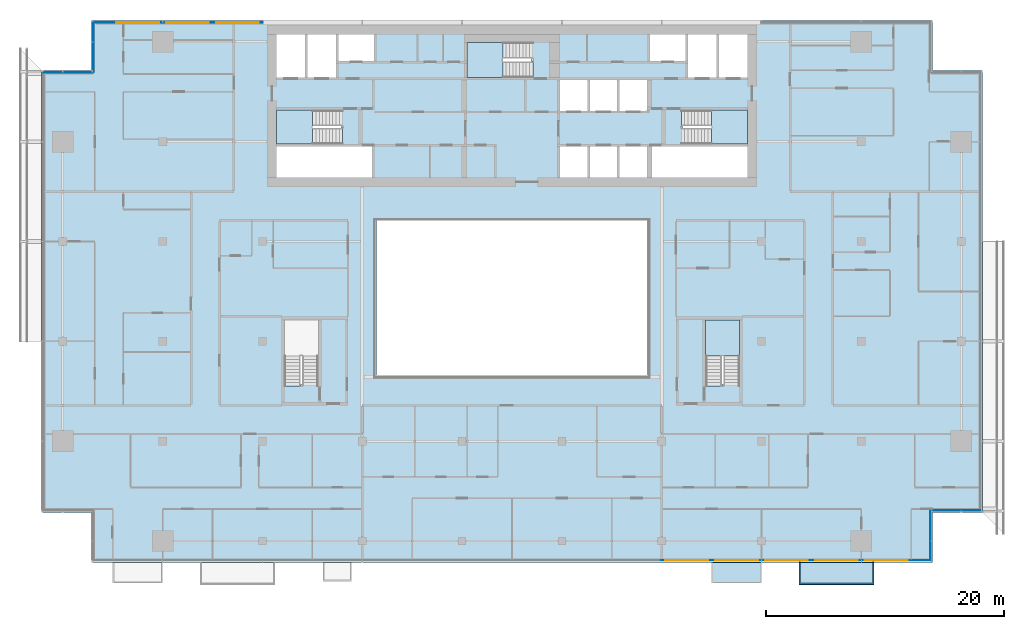
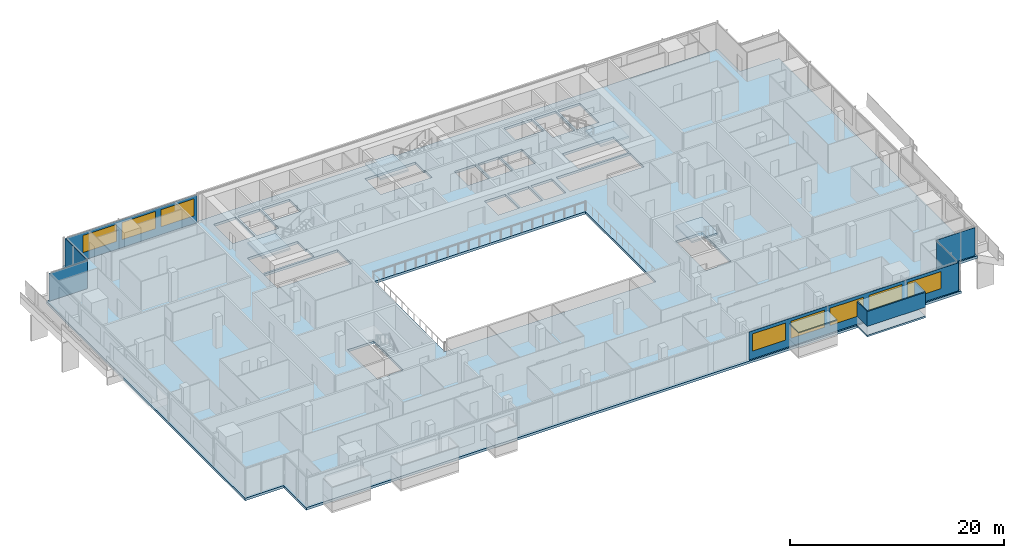
# One storey, part 16 of 29: 9 plates, 8 windows, 6 slabs, 8 openings, 10 elements without a shape of their own.
"""IFC4 building model written with IfcOpenShell, lengths in metres."""

from ifc_helpers import new_model, si_unit, direction, frame, frame_2d, origin, place, context, subcontext, project, spatial, polyline, rectangle, outline, extrude, material, layer, layer_set, type_object, element, fill, aggregate, save


model = new_model("IFC4")

# Units and contexts
model_context = context("Model", 3, precision=1e-05, world=origin(), true_north=direction((0.0, 1.0)))
body_context = subcontext(model_context, "Body", "Model", "MODEL_VIEW")
ifc_project = project(units=[si_unit("LENGTHUNIT", "METRE"), si_unit("AREAUNIT", "SQUARE_METRE"), si_unit("VOLUMEUNIT", "CUBIC_METRE"), si_unit("PLANEANGLEUNIT", "RADIAN"), si_unit("MASSUNIT", "GRAM", prefix="KILO")], contexts=[model_context])

# Site, building, storey
site_placement = place(None, origin())
site = spatial("IfcSite", under=ifc_project, at=site_placement, CompositionType="ELEMENT")
building_placement = place(site_placement, origin())
building = spatial("IfcBuilding", under=site, at=building_placement, Name="Saffron Gate Tower", CompositionType="ELEMENT")
storey_placement = place(building_placement, frame((0.0, 0.0, 161.85009765625)))
storey = spatial("IfcBuildingStorey", under=building, at=storey_placement, Name="L39", CompositionType="ELEMENT", Elevation=161.85009765625)

# Curtain wall, plate, openings, windows
ifc_material_1 = material(Name="Aluminium, bronze anodised", Category="aluminium")
curtain_wall_type_1 = type_object("IfcCurtainWallType", Name="CWS1 curtain wall front facade", PredefinedType="NOTDEFINED", material=ifc_material_1)
curtain_wall_1_placement = place(storey_placement, origin())
curtain_wall_1 = element("IfcCurtainWall", 1, at=curtain_wall_1_placement, inside=storey, type_object=curtain_wall_type_1, Name="CWS1 run 1", PredefinedType="NOTDEFINED")
ifc_material_2 = material(Name="Fritted bronze-tinted laminated glass", Category="glass")
ifc_layer_1 = layer(ifc_material_2, 0.028076171875)
ifc_layer_set_1 = layer_set([ifc_layer_1], Name="CWS1 fixed glass")
plate_type_1 = type_object("IfcPlateType", Name="CWS1 fixed glass", PredefinedType="CURTAIN_PANEL", material=ifc_layer_set_1)
plate_1_placement = place(storey_placement, frame((100.169921875, 30.174072265625, 0.0), z_axis=(0.0, 0.0, 1.0), x_axis=(1.0, 0.0, 0.0)))
plate_1 = element("IfcPlate", 2, at=plate_1_placement, type_object=plate_type_1, Name="CWS1 glass panel", PredefinedType="CURTAIN_PANEL", context=body_context, shape_type="SweptSolid", body=[
    extrude(rectangle(XDim=22.64208984375, YDim=0.028076171875, at=frame_2d((11.321044921875, 0.0))), origin(), (0.0, 0.0, 1.0), 3.199951171875),
])
opening_1_placement = place(plate_1_placement, frame((0.330078125, 0.0, 0.89990234375)))
opening_1 = element("IfcOpeningElement", 3, at=opening_1_placement, cuts=plate_1, Name="Opening W1", PredefinedType="OPENING", context=body_context, shape_type="SweptSolid", body=[
    extrude(rectangle(XDim=3.60009765625, YDim=1.949951171875, at=frame_2d((1.800048828125, 0.97509765625))), frame((0.0, 0.02392578125, 0.0), z_axis=(0.0, -1.0, 0.0), x_axis=(1.0, 0.0, 0.0)), (0.0, 0.0, 1.0), 0.048095703125),
])
opening_2_placement = place(plate_1_placement, frame((4.530029296875, 0.0, 0.89990234375)))
opening_2 = element("IfcOpeningElement", 4, at=opening_2_placement, cuts=plate_1, Name="Opening W1", PredefinedType="OPENING", context=body_context, shape_type="SweptSolid", body=[
    extrude(rectangle(XDim=3.60009765625, YDim=1.949951171875, at=frame_2d((1.800048828125, 0.97509765625))), frame((0.0, 0.02392578125, 0.0), z_axis=(0.0, -1.0, 0.0), x_axis=(1.0, 0.0, 0.0)), (0.0, 0.0, 1.0), 0.048095703125),
])
opening_3_placement = place(plate_1_placement, frame((8.72998046875, 0.0, 0.89990234375)))
opening_3 = element("IfcOpeningElement", 5, at=opening_3_placement, cuts=plate_1, Name="Opening W1", PredefinedType="OPENING", context=body_context, shape_type="SweptSolid", body=[
    extrude(rectangle(XDim=3.60009765625, YDim=1.949951171875, at=frame_2d((1.800048828125, 0.97509765625))), frame((0.0, 0.02392578125, 0.0), z_axis=(0.0, -1.0, 0.0), x_axis=(1.0, 0.0, 0.0)), (0.0, 0.0, 1.0), 0.048095703125),
])
opening_4_placement = place(plate_1_placement, frame((12.929931640625, 0.0, 0.89990234375)))
opening_4 = element("IfcOpeningElement", 6, at=opening_4_placement, cuts=plate_1, Name="Opening W1", PredefinedType="OPENING", context=body_context, shape_type="SweptSolid", body=[
    extrude(rectangle(XDim=3.60009765625, YDim=1.949951171875, at=frame_2d((1.800048828125, 0.97509765625))), frame((0.0, 0.02392578125, 0.0), z_axis=(0.0, -1.0, 0.0), x_axis=(1.0, 0.0, 0.0)), (0.0, 0.0, 1.0), 0.048095703125),
])
opening_5_placement = place(plate_1_placement, frame((17.1298828125, 0.0, 0.89990234375)))
opening_5 = element("IfcOpeningElement", 7, at=opening_5_placement, cuts=plate_1, Name="Opening W1", PredefinedType="OPENING", context=body_context, shape_type="SweptSolid", body=[
    extrude(rectangle(XDim=3.60009765625, YDim=1.949951171875, at=frame_2d((1.800048828125, 0.97509765625))), frame((0.0, 0.02392578125, 0.0), z_axis=(0.0, -1.0, 0.0), x_axis=(1.0, 0.0, 0.0)), (0.0, 0.0, 1.0), 0.048095703125),
])
ifc_material_3 = material(Name="Fritted bronze-tinted laminated glass in bronze frame", Category="glass")
ifc_layer_2 = layer(ifc_material_3, 0.06005859375)
ifc_layer_set_2 = layer_set([ifc_layer_2], Name="W1 operable panel 3600x1950")
window_type = type_object("IfcWindowType", Name="W1 operable panel 3600x1950", PartitioningType="DOUBLE_PANEL_HORIZONTAL", PredefinedType="WINDOW", material=ifc_layer_set_2)
window_1_placement = place(opening_1_placement, origin())
window_1 = element("IfcWindow", 8, at=window_1_placement, type_object=window_type, Name="W1 operable panel", OverallHeight=1.949951171875, OverallWidth=3.60009765625, PartitioningType="SINGLE_PANEL", PredefinedType="WINDOW", context=body_context, shape_type="SweptSolid", body=[
    extrude(rectangle(XDim=3.60009765625, YDim=1.949951171875, at=frame_2d((1.800048828125, 0.97509765625))), frame((0.0, 0.013671875, 0.0), z_axis=(0.0, -1.0, 0.0), x_axis=(1.0, 0.0, 0.0)), (0.0, 0.0, 1.0), 0.027587890625),
])
fill(opening_1, window_1)
window_2_placement = place(opening_2_placement, origin())
window_2 = element("IfcWindow", 9, at=window_2_placement, type_object=window_type, Name="W1 operable panel", OverallHeight=1.949951171875, OverallWidth=3.60009765625, PartitioningType="SINGLE_PANEL", PredefinedType="WINDOW", context=body_context, shape_type="SweptSolid", body=[
    extrude(rectangle(XDim=3.60009765625, YDim=1.949951171875, at=frame_2d((1.800048828125, 0.97509765625))), frame((0.0, 0.013671875, 0.0), z_axis=(0.0, -1.0, 0.0), x_axis=(1.0, 0.0, 0.0)), (0.0, 0.0, 1.0), 0.027587890625),
])
fill(opening_2, window_2)
window_3_placement = place(opening_3_placement, origin())
window_3 = element("IfcWindow", 10, at=window_3_placement, type_object=window_type, Name="W1 operable panel", OverallHeight=1.949951171875, OverallWidth=3.60009765625, PartitioningType="SINGLE_PANEL", PredefinedType="WINDOW", context=body_context, shape_type="SweptSolid", body=[
    extrude(rectangle(XDim=3.60009765625, YDim=1.949951171875, at=frame_2d((1.800048828125, 0.97509765625))), frame((0.0, 0.013671875, 0.0), z_axis=(0.0, -1.0, 0.0), x_axis=(1.0, 0.0, 0.0)), (0.0, 0.0, 1.0), 0.027587890625),
])
fill(opening_3, window_3)
window_4_placement = place(opening_4_placement, origin())
window_4 = element("IfcWindow", 11, at=window_4_placement, type_object=window_type, Name="W1 operable panel", OverallHeight=1.949951171875, OverallWidth=3.60009765625, PartitioningType="SINGLE_PANEL", PredefinedType="WINDOW", context=body_context, shape_type="SweptSolid", body=[
    extrude(rectangle(XDim=3.60009765625, YDim=1.949951171875, at=frame_2d((1.800048828125, 0.97509765625))), frame((0.0, 0.013671875, 0.0), z_axis=(0.0, -1.0, 0.0), x_axis=(1.0, 0.0, 0.0)), (0.0, 0.0, 1.0), 0.027587890625),
])
fill(opening_4, window_4)
window_5_placement = place(opening_5_placement, origin())
window_5 = element("IfcWindow", 12, at=window_5_placement, type_object=window_type, Name="W1 operable panel", OverallHeight=1.949951171875, OverallWidth=3.60009765625, PartitioningType="SINGLE_PANEL", PredefinedType="WINDOW", context=body_context, shape_type="SweptSolid", body=[
    extrude(rectangle(XDim=3.60009765625, YDim=1.949951171875, at=frame_2d((1.800048828125, 0.97509765625))), frame((0.0, 0.013671875, 0.0), z_axis=(0.0, -1.0, 0.0), x_axis=(1.0, 0.0, 0.0)), (0.0, 0.0, 1.0), 0.027587890625),
])
fill(opening_5, window_5)
aggregate(curtain_wall_1, [plate_1, window_1, window_2, window_3, window_4, window_5])

curtain_wall_type_2 = type_object("IfcCurtainWallType", Name="CWS3 curtain wall rear facade", PredefinedType="NOTDEFINED", material=ifc_material_1)
curtain_wall_2_placement = place(storey_placement, origin())
curtain_wall_2 = element("IfcCurtainWall", 13, at=curtain_wall_2_placement, inside=storey, type_object=curtain_wall_type_2, Name="CWS3 run 7", PredefinedType="NOTDEFINED")
ifc_material_4 = material(Name="Fritted grey-tinted laminated glass", Category="glass")
ifc_layer_3 = layer(ifc_material_4, 0.028076171875)
ifc_layer_set_3 = layer_set([ifc_layer_3], Name="CWS3 fixed glass")
plate_type_2 = type_object("IfcPlateType", Name="CWS3 fixed glass", PredefinedType="CURTAIN_PANEL", material=ifc_layer_set_3)
plate_2_placement = place(storey_placement, frame((66.635009765625, 75.426025390625, 0.0), z_axis=(0.0, 0.0, 1.0), x_axis=(-1.0, 0.0, 0.0)))
plate_2 = element("IfcPlate", 14, at=plate_2_placement, type_object=plate_type_2, Name="CWS3 glass panel", PredefinedType="CURTAIN_PANEL", context=body_context, shape_type="SweptSolid", body=[
    extrude(rectangle(XDim=14.2470703125, YDim=0.028076171875, at=frame_2d((7.12353515625, 0.0))), origin(), (0.0, 0.0, 1.0), 3.199951171875),
])
opening_6_placement = place(plate_2_placement, frame((0.3349609375, 0.0, 0.89990234375)))
opening_6 = element("IfcOpeningElement", 15, at=opening_6_placement, cuts=plate_2, Name="Opening W1", PredefinedType="OPENING", context=body_context, shape_type="SweptSolid", body=[
    extrude(rectangle(XDim=3.60009765625, YDim=1.949951171875, at=frame_2d((1.800048828125, 0.97509765625))), frame((0.0, 0.02392578125, 0.0), z_axis=(0.0, -1.0, 0.0), x_axis=(1.0, 0.0, 0.0)), (0.0, 0.0, 1.0), 0.048095703125),
])
opening_7_placement = place(plate_2_placement, frame((4.534912109375, 0.0, 0.89990234375)))
opening_7 = element("IfcOpeningElement", 16, at=opening_7_placement, cuts=plate_2, Name="Opening W1", PredefinedType="OPENING", context=body_context, shape_type="SweptSolid", body=[
    extrude(rectangle(XDim=3.60009765625, YDim=1.949951171875, at=frame_2d((1.800048828125, 0.97509765625))), frame((0.0, 0.02392578125, 0.0), z_axis=(0.0, -1.0, 0.0), x_axis=(1.0, 0.0, 0.0)), (0.0, 0.0, 1.0), 0.048095703125),
])
opening_8_placement = place(plate_2_placement, frame((8.735107421875, 0.0, 0.89990234375)))
opening_8 = element("IfcOpeningElement", 17, at=opening_8_placement, cuts=plate_2, Name="Opening W1", PredefinedType="OPENING", context=body_context, shape_type="SweptSolid", body=[
    extrude(rectangle(XDim=3.60009765625, YDim=1.949951171875, at=frame_2d((1.800048828125, 0.97509765625))), frame((0.0, 0.02392578125, 0.0), z_axis=(0.0, -1.0, 0.0), x_axis=(1.0, 0.0, 0.0)), (0.0, 0.0, 1.0), 0.048095703125),
])
window_6_placement = place(opening_6_placement, origin())
window_6 = element("IfcWindow", 18, at=window_6_placement, type_object=window_type, Name="W1 operable panel", OverallHeight=1.949951171875, OverallWidth=3.60009765625, PartitioningType="SINGLE_PANEL", PredefinedType="WINDOW", context=body_context, shape_type="SweptSolid", body=[
    extrude(rectangle(XDim=3.60009765625, YDim=1.949951171875, at=frame_2d((1.800048828125, 0.97509765625))), frame((0.0, 0.013671875, 0.0), z_axis=(0.0, -1.0, 0.0), x_axis=(1.0, 0.0, 0.0)), (0.0, 0.0, 1.0), 0.027587890625),
])
fill(opening_6, window_6)
window_7_placement = place(opening_7_placement, origin())
window_7 = element("IfcWindow", 19, at=window_7_placement, type_object=window_type, Name="W1 operable panel", OverallHeight=1.949951171875, OverallWidth=3.60009765625, PartitioningType="SINGLE_PANEL", PredefinedType="WINDOW", context=body_context, shape_type="SweptSolid", body=[
    extrude(rectangle(XDim=3.60009765625, YDim=1.949951171875, at=frame_2d((1.800048828125, 0.97509765625))), frame((0.0, 0.013671875, 0.0), z_axis=(0.0, -1.0, 0.0), x_axis=(1.0, 0.0, 0.0)), (0.0, 0.0, 1.0), 0.027587890625),
])
fill(opening_7, window_7)
window_8_placement = place(opening_8_placement, origin())
window_8 = element("IfcWindow", 20, at=window_8_placement, type_object=window_type, Name="W1 operable panel", OverallHeight=1.949951171875, OverallWidth=3.60009765625, PartitioningType="SINGLE_PANEL", PredefinedType="WINDOW", context=body_context, shape_type="SweptSolid", body=[
    extrude(rectangle(XDim=3.60009765625, YDim=1.949951171875, at=frame_2d((1.800048828125, 0.97509765625))), frame((0.0, 0.013671875, 0.0), z_axis=(0.0, -1.0, 0.0), x_axis=(1.0, 0.0, 0.0)), (0.0, 0.0, 1.0), 0.027587890625),
])
fill(opening_8, window_8)
aggregate(curtain_wall_2, [plate_2, window_6, window_7, window_8])

# Curtain wall, plate
curtain_wall_type_3 = type_object("IfcCurtainWallType", Name="CWS4 curtain wall corner returns", PredefinedType="NOTDEFINED", material=ifc_material_1)
curtain_wall_3_placement = place(storey_placement, origin())
curtain_wall_3 = element("IfcCurtainWall", 21, at=curtain_wall_3_placement, inside=storey, type_object=curtain_wall_type_3, Name="CWS4 run 2", PredefinedType="NOTDEFINED")
ifc_layer_4 = layer(ifc_material_2, 0.028076171875)
ifc_layer_set_4 = layer_set([ifc_layer_4], Name="CWS4 fixed glass")
plate_type_3 = type_object("IfcPlateType", Name="CWS4 fixed glass", PredefinedType="CURTAIN_PANEL", material=ifc_layer_set_4)
plate_3_placement = place(storey_placement, frame((122.825927734375, 30.18798828125, 0.0), z_axis=(0.0, 0.0, 1.0), x_axis=(0.0, 1.0, 0.0)))
plate_3 = element("IfcPlate", 22, at=plate_3_placement, type_object=plate_type_3, Name="CWS4 glass panel", PredefinedType="CURTAIN_PANEL", context=body_context, shape_type="SweptSolid", body=[
    extrude(rectangle(XDim=4.172119140625, YDim=0.028076171875, at=frame_2d((2.0859375, 0.0))), origin(), (0.0, 0.0, 1.0), 3.199951171875),
])
aggregate(curtain_wall_3, [plate_3])

curtain_wall_4_placement = place(storey_placement, origin())
curtain_wall_4 = element("IfcCurtainWall", 23, at=curtain_wall_4_placement, inside=storey, type_object=curtain_wall_type_3, Name="CWS4 run 3", PredefinedType="NOTDEFINED")
plate_4_placement = place(storey_placement, frame((122.840087890625, 34.3740234375, 0.0), z_axis=(0.0, 0.0, 1.0), x_axis=(1.0, 0.0, 0.0)))
plate_4 = element("IfcPlate", 24, at=plate_4_placement, type_object=plate_type_3, Name="CWS4 glass panel", PredefinedType="CURTAIN_PANEL", context=body_context, shape_type="SweptSolid", body=[
    extrude(rectangle(XDim=4.171875, YDim=0.028076171875, at=frame_2d((2.0859375, 0.0))), origin(), (0.0, 0.0, 1.0), 3.199951171875),
])
aggregate(curtain_wall_4, [plate_4])

curtain_wall_5_placement = place(storey_placement, origin())
curtain_wall_5 = element("IfcCurtainWall", 25, at=curtain_wall_5_placement, inside=storey, type_object=curtain_wall_type_3, Name="CWS4 run 8", PredefinedType="NOTDEFINED")
plate_5_placement = place(storey_placement, frame((52.3740234375, 75.412109375, 0.0), z_axis=(0.0, 0.0, 1.0), x_axis=(0.0, -1.0, 0.0)))
plate_5 = element("IfcPlate", 26, at=plate_5_placement, type_object=plate_type_3, Name="CWS4 glass panel", PredefinedType="CURTAIN_PANEL", context=body_context, shape_type="SweptSolid", body=[
    extrude(rectangle(XDim=4.172119140625, YDim=0.028076171875, at=frame_2d((2.0859375, 0.0))), origin(), (0.0, 0.0, 1.0), 3.199951171875),
])
aggregate(curtain_wall_5, [plate_5])

curtain_wall_6_placement = place(storey_placement, origin())
curtain_wall_6 = element("IfcCurtainWall", 27, at=curtain_wall_6_placement, inside=storey, type_object=curtain_wall_type_3, Name="CWS4 run 9", PredefinedType="NOTDEFINED")
plate_6_placement = place(storey_placement, frame((52.360107421875, 71.22607421875, 0.0), z_axis=(0.0, 0.0, 1.0), x_axis=(-1.0, 0.0, 0.0)))
plate_6 = element("IfcPlate", 28, at=plate_6_placement, type_object=plate_type_3, Name="CWS4 glass panel", PredefinedType="CURTAIN_PANEL", context=body_context, shape_type="SweptSolid", body=[
    extrude(rectangle(XDim=4.172119140625, YDim=0.028076171875, at=frame_2d((2.0859375, 0.0))), origin(), (0.0, 0.0, 1.0), 3.199951171875),
])
aggregate(curtain_wall_6, [plate_6])

# Slab
ifc_material_5 = material(Name="Concrete C40", Category="concrete")
ifc_layer_5 = layer(ifc_material_5, 0.280029296875)
ifc_layer_set_5 = layer_set([ifc_layer_5], Name="S2 FLOOR SLAB 280 CONCRETE C40")
slab_type_1 = type_object("IfcSlabType", Name="S2 FLOOR SLAB 280 CONCRETE C40", PredefinedType="FLOOR", material=ifc_layer_set_5)
slab_1_placement = place(storey_placement, frame((0.0, 0.0, -0.280029296875)))
element("IfcSlab", 29, at=slab_1_placement, inside=storey, type_object=slab_type_1, Name="S2 FLOOR SLAB", PredefinedType="FLOOR", context=body_context, shape_type="SweptSolid", body=[
    extrude(outline(polyline([(48.0, 34.199951171875), (52.199951171875, 34.199951171875), (52.199951171875, 30.0), (123.0, 30.0), (123.0, 34.199951171875), (127.199951171875, 34.199951171875), (127.199951171875, 71.39990234375), (123.0, 71.39990234375), (123.0, 75.60009765625), (52.199951171875, 75.60009765625), (52.199951171875, 71.39990234375), (48.0, 71.39990234375), (48.0, 34.199951171875)]), holes=[polyline([(67.800048828125, 62.39990234375), (67.800048828125, 65.0), (75.800048828125, 65.0), (75.800048828125, 62.39990234375), (67.800048828125, 62.39990234375)]), polyline([(67.800048828125, 65.199951171875), (67.800048828125, 68.050048828125), (73.25, 68.050048828125), (73.25, 66.550048828125), (73.34912109375, 66.550048828125), (73.34912109375, 65.199951171875), (67.800048828125, 65.199951171875)]), polyline([(67.800048828125, 70.800048828125), (67.800048828125, 74.39990234375), (70.199951171875, 74.39990234375), (70.199951171875, 70.800048828125), (67.800048828125, 70.800048828125)]), polyline([(68.449951171875, 44.85107421875), (68.449951171875, 50.39990234375), (71.300048828125, 50.39990234375), (71.300048828125, 44.949951171875), (69.800048828125, 44.949951171875), (69.800048828125, 44.85107421875), (68.449951171875, 44.85107421875)]), polyline([(70.39990234375, 70.800048828125), (70.39990234375, 74.39990234375), (72.800048828125, 74.39990234375), (72.800048828125, 70.800048828125), (70.39990234375, 70.800048828125)]), polyline([(73.0, 72.199951171875), (73.0, 74.39990234375), (76.0, 74.39990234375), (76.0, 72.199951171875), (73.0, 72.199951171875)]), polyline([(76.199951171875, 45.60009765625), (76.199951171875, 58.800048828125), (99.0, 58.800048828125), (99.0, 45.60009765625), (76.199951171875, 45.60009765625)]), polyline([(83.800048828125, 70.800048828125), (83.800048828125, 73.75), (89.25, 73.75), (89.25, 72.14990234375), (89.34912109375, 72.14990234375), (89.34912109375, 70.800048828125), (83.800048828125, 70.800048828125)]), polyline([(91.64990234375, 62.39990234375), (91.64990234375, 65.0), (93.949951171875, 65.0), (93.949951171875, 62.39990234375), (91.64990234375, 62.39990234375)]), polyline([(91.64990234375, 68.0), (91.64990234375, 70.60009765625), (93.949951171875, 70.60009765625), (93.949951171875, 68.0), (91.64990234375, 68.0)]), polyline([(94.14990234375, 62.39990234375), (94.14990234375, 65.0), (96.449951171875, 65.0), (96.449951171875, 62.39990234375), (94.14990234375, 62.39990234375)]), polyline([(94.14990234375, 68.0), (94.14990234375, 70.60009765625), (96.449951171875, 70.60009765625), (96.449951171875, 68.0), (94.14990234375, 68.0)]), polyline([(96.64990234375, 62.39990234375), (96.64990234375, 65.0), (98.949951171875, 65.0), (98.949951171875, 62.39990234375), (96.64990234375, 62.39990234375)]), polyline([(96.64990234375, 68.0), (96.64990234375, 70.60009765625), (98.949951171875, 70.60009765625), (98.949951171875, 68.0), (96.64990234375, 68.0)]), polyline([(99.199951171875, 72.199951171875), (99.199951171875, 74.39990234375), (102.199951171875, 74.39990234375), (102.199951171875, 72.199951171875), (99.199951171875, 72.199951171875)]), polyline([(99.39990234375, 62.39990234375), (99.39990234375, 65.0), (107.39990234375, 65.0), (107.39990234375, 62.39990234375), (99.39990234375, 62.39990234375)]), polyline([(101.85107421875, 66.699951171875), (101.85107421875, 68.050048828125), (107.39990234375, 68.050048828125), (107.39990234375, 65.199951171875), (101.949951171875, 65.199951171875), (101.949951171875, 66.699951171875), (101.85107421875, 66.699951171875)]), polyline([(102.39990234375, 70.800048828125), (102.39990234375, 74.39990234375), (104.800048828125, 74.39990234375), (104.800048828125, 70.800048828125), (102.39990234375, 70.800048828125)]), polyline([(103.89990234375, 44.85107421875), (103.89990234375, 50.39990234375), (106.75, 50.39990234375), (106.75, 44.949951171875), (105.25, 44.949951171875), (105.25, 44.85107421875), (103.89990234375, 44.85107421875)]), polyline([(105.0, 70.800048828125), (105.0, 74.39990234375), (107.39990234375, 74.39990234375), (107.39990234375, 70.800048828125), (105.0, 70.800048828125)])]), origin(), (0.0, 0.0, 1.0), 0.280029296875),
])

# Stair, slab
stair_type = type_object("IfcStairType", Name="ST7 Stair 1350 wide, 20 risers of 180", PredefinedType="HALF_TURN_STAIR", material=ifc_material_5)
stair_1_placement = place(storey_placement, origin())
stair_1 = element("IfcStair", 30, at=stair_1_placement, inside=storey, type_object=stair_type, Name="L39 Exit stair A", PredefinedType="HALF_TURN_STAIR")
ifc_layer_6 = layer(ifc_material_5, 0.199951171875)
ifc_layer_set_6 = layer_set([ifc_layer_6], Name="SL1 Stair landing 200")
slab_type_2 = type_object("IfcSlabType", Name="SL1 Stair landing 200", PredefinedType="LANDING", material=ifc_layer_set_6)
slab_2_placement = place(storey_placement, frame((0.0, 0.0, 1.599853515625)))
slab_2 = element("IfcSlab", 31, at=slab_2_placement, type_object=slab_type_2, Name="ST-A landing 1", PredefinedType="LANDING", context=body_context, shape_type="SweptSolid", body=[
    extrude(outline(polyline([(70.830078125, 68.050048828125), (67.800048828125, 68.050048828125), (67.800048828125, 65.199951171875), (70.830078125, 65.199951171875), (70.830078125, 68.050048828125)])), origin(), (0.0, 0.0, 1.0), 0.199951171875),
])
aggregate(stair_1, [slab_2])

stair_2_placement = place(storey_placement, origin())
stair_2 = element("IfcStair", 32, at=stair_2_placement, inside=storey, type_object=stair_type, Name="L39 Exit stair B", PredefinedType="HALF_TURN_STAIR")
slab_3_placement = place(storey_placement, frame((0.0, 0.0, 1.599853515625)))
slab_3 = element("IfcSlab", 33, at=slab_3_placement, type_object=slab_type_2, Name="ST-B landing 1", PredefinedType="LANDING", context=body_context, shape_type="SweptSolid", body=[
    extrude(outline(polyline([(104.3701171875, 65.199951171875), (107.39990234375, 65.199951171875), (107.39990234375, 68.050048828125), (104.3701171875, 68.050048828125), (104.3701171875, 65.199951171875)])), origin(), (0.0, 0.0, 1.0), 0.199951171875),
])
aggregate(stair_2, [slab_3])

stair_3_placement = place(storey_placement, origin())
stair_3 = element("IfcStair", 34, at=stair_3_placement, inside=storey, type_object=stair_type, Name="L39 Exit stair C", PredefinedType="HALF_TURN_STAIR")
slab_4_placement = place(storey_placement, frame((0.0, 0.0, 1.599853515625)))
slab_4 = element("IfcSlab", 35, at=slab_4_placement, type_object=slab_type_2, Name="ST-C landing 1", PredefinedType="LANDING", context=body_context, shape_type="SweptSolid", body=[
    extrude(outline(polyline([(86.830078125, 73.75), (83.800048828125, 73.75), (83.800048828125, 70.800048828125), (86.830078125, 70.800048828125), (86.830078125, 73.75)])), origin(), (0.0, 0.0, 1.0), 0.199951171875),
])
aggregate(stair_3, [slab_4])

stair_4_placement = place(storey_placement, origin())
stair_4 = element("IfcStair", 36, at=stair_4_placement, inside=storey, type_object=stair_type, Name="L39 Exit stair E", PredefinedType="HALF_TURN_STAIR")
slab_5_placement = place(storey_placement, frame((0.0, 0.0, 1.599853515625)))
slab_5 = element("IfcSlab", 37, at=slab_5_placement, type_object=slab_type_2, Name="ST-E landing 1", PredefinedType="LANDING", context=body_context, shape_type="SweptSolid", body=[
    extrude(outline(polyline([(106.75, 47.3701171875), (106.75, 50.39990234375), (103.89990234375, 50.39990234375), (103.89990234375, 47.3701171875), (106.75, 47.3701171875)])), origin(), (0.0, 0.0, 1.0), 0.199951171875),
])
aggregate(stair_4, [slab_5])

# Slab
ifc_material_6 = material(Name="Timber deck on bronze frame", Category="wood")
ifc_layer_7 = layer(ifc_material_6, 0.199951171875)
ifc_layer_set_7 = layer_set([ifc_layer_7], Name="WB1 box floor")
slab_type_3 = type_object("IfcSlabType", Name="WB1 box floor", PredefinedType="FLOOR", material=ifc_layer_set_7)
slab_6_placement = place(storey_placement, frame((0.0, 0.0, -0.2001953125)))
element("IfcSlab", 38, at=slab_6_placement, inside=storey, type_object=slab_type_3, Name="WINDOW BOX floor", PredefinedType="FLOOR", context=body_context, shape_type="SweptSolid", body=[
    extrude(outline(polyline([(111.75, 30.0), (118.050048828125, 30.0), (118.050048828125, 28.133056640625), (111.75, 28.133056640625), (111.75, 30.0)])), origin(), (0.0, 0.0, 1.0), 0.2001953125),
])

# Plates
ifc_layer_8 = layer(ifc_material_1, 0.1201171875)
ifc_layer_set_8 = layer_set([ifc_layer_8], Name="WB2 box roof")
plate_type_4 = type_object("IfcPlateType", Name="WB2 box roof", PredefinedType="SHEET", material=ifc_layer_set_8)
plate_7_placement = place(storey_placement, frame((0.0, 0.0, 2.699951171875)))
element("IfcPlate", 39, at=plate_7_placement, inside=storey, type_object=plate_type_4, Name="WINDOW BOX roof", PredefinedType="SHEET", context=body_context, shape_type="SweptSolid", body=[
    extrude(outline(polyline([(104.39990234375, 30.0), (108.60009765625, 30.0), (108.60009765625, 28.26708984375), (104.39990234375, 28.26708984375), (104.39990234375, 30.0)])), origin(), (0.0, 0.0, 1.0), 0.119873046875),
])
plate_8_placement = place(storey_placement, frame((0.0, 0.0, 2.699951171875)))
element("IfcPlate", 40, at=plate_8_placement, inside=storey, type_object=plate_type_4, Name="WINDOW BOX roof", PredefinedType="SHEET", context=body_context, shape_type="SweptSolid", body=[
    extrude(outline(polyline([(111.75, 30.0), (118.050048828125, 30.0), (118.050048828125, 28.133056640625), (111.75, 28.133056640625), (111.75, 30.0)])), origin(), (0.0, 0.0, 1.0), 0.119873046875),
])
ifc_material_7 = material(Name="Clear low-iron laminated glass", Category="glass")
ifc_layer_9 = layer(ifc_material_7, 0.10009765625)
ifc_layer_set_9 = layer_set([ifc_layer_9], Name="WB6 box glazing")
plate_type_5 = type_object("IfcPlateType", Name="WB6 box glazing", PredefinedType="SHEET", material=ifc_layer_set_9)
plate_9_placement = place(storey_placement, frame((0.0, 0.0, 1.0)))
element("IfcPlate", 41, at=plate_9_placement, inside=storey, type_object=plate_type_5, Name="WINDOW BOX glazing", PredefinedType="SHEET", context=body_context, shape_type="SweptSolid", body=[
    extrude(outline(polyline([(111.75, 30.0), (111.85009765625, 30.0), (111.85009765625, 28.23291015625), (117.949951171875, 28.23291015625), (117.949951171875, 30.0), (118.050048828125, 30.0), (118.050048828125, 28.133056640625), (111.75, 28.133056640625), (111.75, 30.0)])), origin(), (0.0, 0.0, 1.0), 1.699951171875),
])

save(model, "model.ifc")
